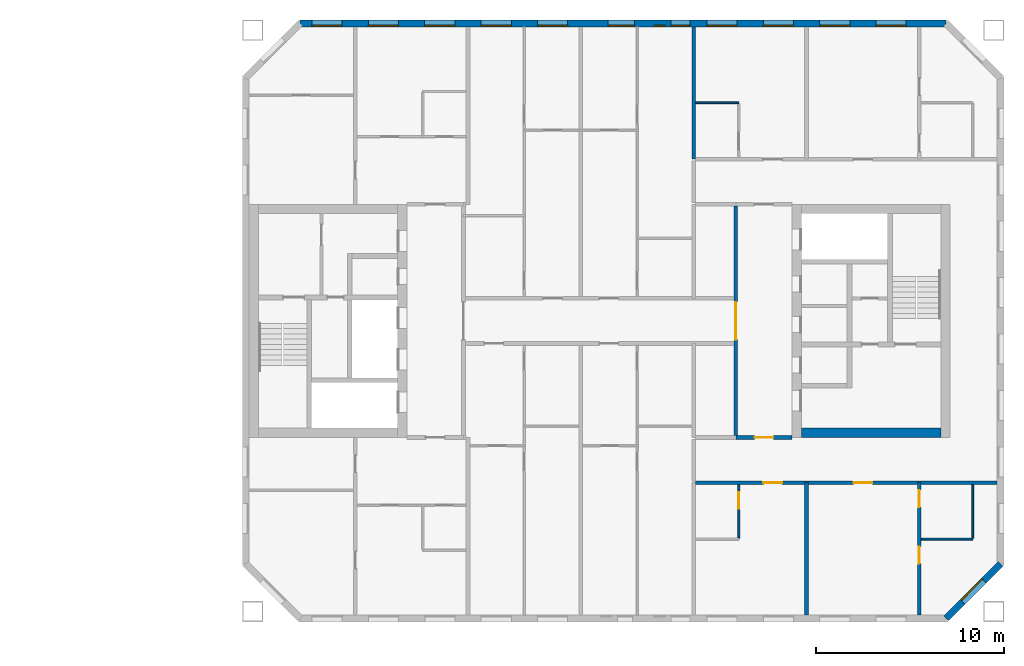
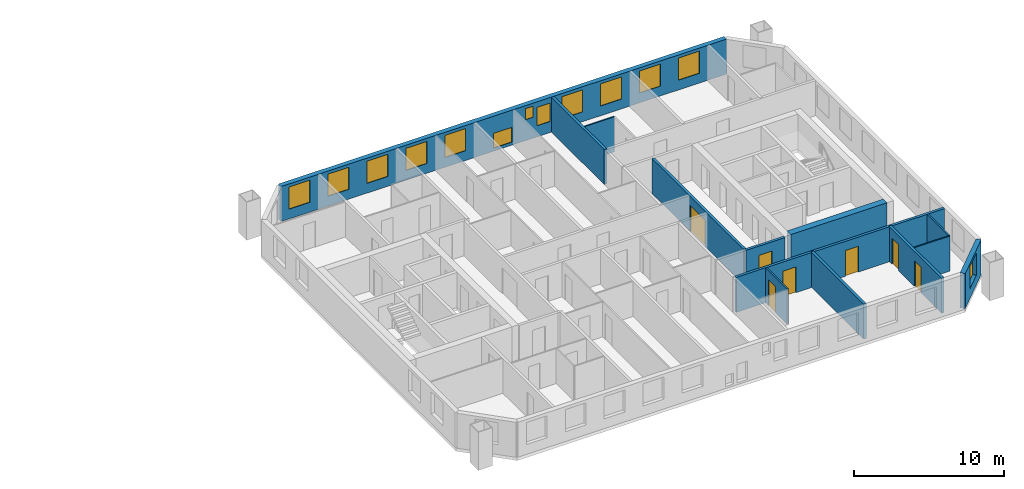
# One storey, part 11 of 15: 13 walls, 13 windows, 7 doors, 20 openings.
"""IFC4 building model written with IfcOpenShell, lengths in metres."""

from ifc_helpers import new_model, si_unit, direction, frame, frame_2d, origin, place, context, subcontext, project, spatial, rectangle, extrude, material, layer, layer_set, type_object, element, fill, save


model = new_model("IFC4")

# Units and contexts
model_context = context("Model", 3, precision=1e-05, world=origin(), true_north=direction((0.0, 1.0)))
body_context = subcontext(model_context, "Body", "Model", "MODEL_VIEW")
ifc_project = project(units=[si_unit("LENGTHUNIT", "METRE"), si_unit("AREAUNIT", "SQUARE_METRE"), si_unit("VOLUMEUNIT", "CUBIC_METRE"), si_unit("PLANEANGLEUNIT", "RADIAN"), si_unit("MASSUNIT", "GRAM", prefix="KILO")], contexts=[model_context])

# Site, building, storey
site_placement = place(None, origin())
site = spatial("IfcSite", under=ifc_project, at=site_placement, CompositionType="ELEMENT")
building_placement = place(site_placement, origin())
building = spatial("IfcBuilding", under=site, at=building_placement, Name="Tuart Gate Housing", CompositionType="ELEMENT")
storey_placement = place(building_placement, frame((0.0, 0.0, 164.0)))
storey = spatial("IfcBuildingStorey", under=building, at=storey_placement, Name="L46", CompositionType="ELEMENT", Elevation=164.0)

# Wall, opening, window
ifc_material_1 = material(Name="Brick", Category="masonry")
ifc_layer_1 = layer(ifc_material_1, 0.360107421875)
ifc_layer_set_1 = layer_set([ifc_layer_1], Name="Brick pier and spandrel wall 360")
wall_type_1 = type_object("IfcWallType", Name="Brick pier and spandrel wall 360", PredefinedType="STANDARD", material=ifc_layer_set_1)
wall_1_placement = place(storey_placement, frame((168.42529296875, 54.179931640625, 0.0), z_axis=(0.0, 0.0, 1.0), x_axis=(0.707106781187, 0.707106781187, 0.0)))
wall_1 = element("IfcWall", 1, at=wall_1_placement, inside=storey, type_object=wall_type_1, Name="External wall B-SE L46", PredefinedType="STANDARD", context=body_context, shape_type="SweptSolid", body=[
    extrude(rectangle(XDim=4.09375, YDim=0.360107421875, at=frame_2d((2.046875, 0.0))), origin(), (0.0, 0.0, 1.0), 2.85009765625),
])
opening_1_placement = place(wall_1_placement, frame((1.2470703125, 0.0, 0.800048828125)))
opening_1 = element("IfcOpeningElement", 2, at=opening_1_placement, cuts=wall_1, Name="Opening W1", PredefinedType="OPENING", context=body_context, shape_type="SweptSolid", body=[
    extrude(rectangle(XDim=1.60009765625, YDim=1.800048828125, at=frame_2d((0.800048828125, 0.89990234375))), frame((0.0, 0.18994140625, 0.0), z_axis=(0.0, -1.0, 0.0), x_axis=(1.0, 0.0, 0.0)), (0.0, 0.0, 1.0), 0.380126953125),
])
ifc_material_2 = material(Name="Aluminium frame with clear glass", Category="aluminium")
window_type_1 = type_object("IfcWindowType", Name="Punched window 1600 x 1800", PartitioningType="SINGLE_PANEL", PredefinedType="WINDOW", material=ifc_material_2)
window_1_placement = place(opening_1_placement, origin())
window_1 = element("IfcWindow", 3, at=window_1_placement, inside=storey, type_object=window_type_1, Name="Window W1", OverallHeight=1.800048828125, OverallWidth=1.60009765625, PartitioningType="SINGLE_PANEL", PredefinedType="WINDOW", context=body_context, shape_type="SweptSolid", body=[
    extrude(rectangle(XDim=1.60009765625, YDim=1.800048828125, at=frame_2d((0.800048828125, 0.89990234375))), frame((0.0, 0.150146484375, 0.0), z_axis=(0.0, -1.0, 0.0), x_axis=(1.0, 0.0, 0.0)), (0.0, 0.0, 1.0), 0.06005859375),
])
fill(opening_1, window_1)

# Wall, openings, windows
wall_2_placement = place(storey_placement, frame((168.42529296875, 85.820068359375, 0.0), z_axis=(0.0, 0.0, 1.0), x_axis=(-1.0, 0.0, 0.0)))
wall_2 = element("IfcWall", 4, at=wall_2_placement, inside=storey, type_object=wall_type_1, Name="External wall B-N L46", PredefinedType="STANDARD", context=body_context, shape_type="SweptSolid", body=[
    extrude(rectangle(XDim=34.350830078125, YDim=0.360107421875, at=frame_2d((17.17529296875, 0.0))), origin(), (0.0, 0.0, 1.0), 2.85009765625),
])
opening_2_placement = place(wall_2_placement, frame((2.12548828125, 0.0, 0.800048828125)))
opening_2 = element("IfcOpeningElement", 5, at=opening_2_placement, cuts=wall_2, Name="Opening W1", PredefinedType="OPENING", context=body_context, shape_type="SweptSolid", body=[
    extrude(rectangle(XDim=1.60009765625, YDim=1.800048828125, at=frame_2d((0.800048828125, 0.89990234375))), frame((0.0, 0.18994140625, 0.0), z_axis=(0.0, -1.0, 0.0), x_axis=(1.0, 0.0, 0.0)), (0.0, 0.0, 1.0), 0.380126953125),
])
opening_3_placement = place(wall_2_placement, frame((5.12548828125, 0.0, 0.800048828125)))
opening_3 = element("IfcOpeningElement", 6, at=opening_3_placement, cuts=wall_2, Name="Opening W1", PredefinedType="OPENING", context=body_context, shape_type="SweptSolid", body=[
    extrude(rectangle(XDim=1.60009765625, YDim=1.800048828125, at=frame_2d((0.800048828125, 0.89990234375))), frame((0.0, 0.18994140625, 0.0), z_axis=(0.0, -1.0, 0.0), x_axis=(1.0, 0.0, 0.0)), (0.0, 0.0, 1.0), 0.380126953125),
])
opening_4_placement = place(wall_2_placement, frame((8.12548828125, 0.0, 0.800048828125)))
opening_4 = element("IfcOpeningElement", 7, at=opening_4_placement, cuts=wall_2, Name="Opening W1", PredefinedType="OPENING", context=body_context, shape_type="SweptSolid", body=[
    extrude(rectangle(XDim=1.60009765625, YDim=1.800048828125, at=frame_2d((0.800048828125, 0.89990234375))), frame((0.0, 0.18994140625, 0.0), z_axis=(0.0, -1.0, 0.0), x_axis=(1.0, 0.0, 0.0)), (0.0, 0.0, 1.0), 0.380126953125),
])
opening_5_placement = place(wall_2_placement, frame((11.12548828125, 0.0, 0.800048828125)))
opening_5 = element("IfcOpeningElement", 8, at=opening_5_placement, cuts=wall_2, Name="Opening W1", PredefinedType="OPENING", context=body_context, shape_type="SweptSolid", body=[
    extrude(rectangle(XDim=1.60009765625, YDim=1.800048828125, at=frame_2d((0.800048828125, 0.89990234375))), frame((0.0, 0.18994140625, 0.0), z_axis=(0.0, -1.0, 0.0), x_axis=(1.0, 0.0, 0.0)), (0.0, 0.0, 1.0), 0.380126953125),
])
opening_6_placement = place(wall_2_placement, frame((13.62548828125, 0.0, 0.89990234375)))
opening_6 = element("IfcOpeningElement", 9, at=opening_6_placement, cuts=wall_2, Name="Opening W1I", PredefinedType="OPENING", context=body_context, shape_type="SweptSolid", body=[
    extrude(rectangle(XDim=1.0, YDim=1.5, at=frame_2d((0.5, 0.75))), frame((0.0, 0.18994140625, 0.0), z_axis=(0.0, -1.0, 0.0), x_axis=(1.0, 0.0, 0.0)), (0.0, 0.0, 1.0), 0.380126953125),
])
opening_7_placement = place(wall_2_placement, frame((16.575439453125, 0.0, 0.25)))
opening_7 = element("IfcOpeningElement", 10, at=opening_7_placement, cuts=wall_2, Name="Opening W1M", PredefinedType="OPENING", context=body_context, shape_type="SweptSolid", body=[
    extrude(rectangle(XDim=1.39990234375, YDim=1.199951171875, at=frame_2d((0.699951171875, 0.60009765625))), frame((0.0, 0.18994140625, 0.0), z_axis=(0.0, -1.0, 0.0), x_axis=(1.0, 0.0, 0.0)), (0.0, 0.0, 1.0), 0.380126953125),
])
opening_8_placement = place(wall_2_placement, frame((20.12548828125, 0.0, 0.800048828125)))
opening_8 = element("IfcOpeningElement", 11, at=opening_8_placement, cuts=wall_2, Name="Opening W1", PredefinedType="OPENING", context=body_context, shape_type="SweptSolid", body=[
    extrude(rectangle(XDim=1.60009765625, YDim=1.800048828125, at=frame_2d((0.800048828125, 0.89990234375))), frame((0.0, 0.18994140625, 0.0), z_axis=(0.0, -1.0, 0.0), x_axis=(1.0, 0.0, 0.0)), (0.0, 0.0, 1.0), 0.380126953125),
])
opening_9_placement = place(wall_2_placement, frame((23.12548828125, 0.0, 0.800048828125)))
opening_9 = element("IfcOpeningElement", 12, at=opening_9_placement, cuts=wall_2, Name="Opening W1", PredefinedType="OPENING", context=body_context, shape_type="SweptSolid", body=[
    extrude(rectangle(XDim=1.60009765625, YDim=1.800048828125, at=frame_2d((0.800048828125, 0.89990234375))), frame((0.0, 0.18994140625, 0.0), z_axis=(0.0, -1.0, 0.0), x_axis=(1.0, 0.0, 0.0)), (0.0, 0.0, 1.0), 0.380126953125),
])
opening_10_placement = place(wall_2_placement, frame((26.12548828125, 0.0, 0.800048828125)))
opening_10 = element("IfcOpeningElement", 13, at=opening_10_placement, cuts=wall_2, Name="Opening W1", PredefinedType="OPENING", context=body_context, shape_type="SweptSolid", body=[
    extrude(rectangle(XDim=1.60009765625, YDim=1.800048828125, at=frame_2d((0.800048828125, 0.89990234375))), frame((0.0, 0.18994140625, 0.0), z_axis=(0.0, -1.0, 0.0), x_axis=(1.0, 0.0, 0.0)), (0.0, 0.0, 1.0), 0.380126953125),
])
opening_11_placement = place(wall_2_placement, frame((29.12548828125, 0.0, 0.800048828125)))
opening_11 = element("IfcOpeningElement", 14, at=opening_11_placement, cuts=wall_2, Name="Opening W1", PredefinedType="OPENING", context=body_context, shape_type="SweptSolid", body=[
    extrude(rectangle(XDim=1.60009765625, YDim=1.800048828125, at=frame_2d((0.800048828125, 0.89990234375))), frame((0.0, 0.18994140625, 0.0), z_axis=(0.0, -1.0, 0.0), x_axis=(1.0, 0.0, 0.0)), (0.0, 0.0, 1.0), 0.380126953125),
])
opening_12_placement = place(wall_2_placement, frame((32.12548828125, 0.0, 0.800048828125)))
opening_12 = element("IfcOpeningElement", 15, at=opening_12_placement, cuts=wall_2, Name="Opening W1", PredefinedType="OPENING", context=body_context, shape_type="SweptSolid", body=[
    extrude(rectangle(XDim=1.60009765625, YDim=1.800048828125, at=frame_2d((0.800048828125, 0.89990234375))), frame((0.0, 0.18994140625, 0.0), z_axis=(0.0, -1.0, 0.0), x_axis=(1.0, 0.0, 0.0)), (0.0, 0.0, 1.0), 0.380126953125),
])
opening_13_placement = place(wall_2_placement, frame((14.92529296875, 0.0, 1.699951171875)))
opening_13 = element("IfcOpeningElement", 16, at=opening_13_placement, cuts=wall_2, Name="Opening W1W", PredefinedType="OPENING", context=body_context, shape_type="SweptSolid", body=[
    extrude(rectangle(XDim=0.60009765625, YDim=0.89990234375, at=frame_2d((0.300048828125, 0.449951171875))), frame((0.0, 0.18994140625, 0.0), z_axis=(0.0, -1.0, 0.0), x_axis=(1.0, 0.0, 0.0)), (0.0, 0.0, 1.0), 0.380126953125),
])
ifc_material_3 = material(Name="Aluminium frame with clear glass", Category="aluminium")
window_type_2 = type_object("IfcWindowType", Name="Punched window 1000 x 1500", PartitioningType="SINGLE_PANEL", PredefinedType="WINDOW", material=ifc_material_3)
window_2_placement = place(opening_6_placement, origin())
window_2 = element("IfcWindow", 17, at=window_2_placement, inside=storey, type_object=window_type_2, Name="Window W1I", OverallHeight=1.5, OverallWidth=1.0, PartitioningType="SINGLE_PANEL", PredefinedType="WINDOW", context=body_context, shape_type="SweptSolid", body=[
    extrude(rectangle(XDim=1.0, YDim=1.5, at=frame_2d((0.5, 0.75))), frame((0.0, 0.150146484375, 0.0), z_axis=(0.0, -1.0, 0.0), x_axis=(1.0, 0.0, 0.0)), (0.0, 0.0, 1.0), 0.06005859375),
])
fill(opening_6, window_2)
ifc_material_4 = material(Name="Aluminium frame with clear glass", Category="aluminium")
window_type_3 = type_object("IfcWindowType", Name="Punched window 1400 x 1200", PartitioningType="SINGLE_PANEL", PredefinedType="WINDOW", material=ifc_material_4)
window_3_placement = place(opening_7_placement, origin())
window_3 = element("IfcWindow", 18, at=window_3_placement, inside=storey, type_object=window_type_3, Name="Window W1M", OverallHeight=1.199951171875, OverallWidth=1.39990234375, PartitioningType="SINGLE_PANEL", PredefinedType="WINDOW", context=body_context, shape_type="SweptSolid", body=[
    extrude(rectangle(XDim=1.39990234375, YDim=1.199951171875, at=frame_2d((0.699951171875, 0.60009765625))), frame((0.0, 0.150146484375, 0.0), z_axis=(0.0, -1.0, 0.0), x_axis=(1.0, 0.0, 0.0)), (0.0, 0.0, 1.0), 0.06005859375),
])
fill(opening_7, window_3)
window_4_placement = place(opening_2_placement, origin())
window_4 = element("IfcWindow", 19, at=window_4_placement, inside=storey, type_object=window_type_1, Name="Window W1", OverallHeight=1.800048828125, OverallWidth=1.60009765625, PartitioningType="SINGLE_PANEL", PredefinedType="WINDOW", context=body_context, shape_type="SweptSolid", body=[
    extrude(rectangle(XDim=1.60009765625, YDim=1.800048828125, at=frame_2d((0.800048828125, 0.89990234375))), frame((0.0, 0.150146484375, 0.0), z_axis=(0.0, -1.0, 0.0), x_axis=(1.0, 0.0, 0.0)), (0.0, 0.0, 1.0), 0.06005859375),
])
fill(opening_2, window_4)
window_5_placement = place(opening_3_placement, origin())
window_5 = element("IfcWindow", 20, at=window_5_placement, inside=storey, type_object=window_type_1, Name="Window W1", OverallHeight=1.800048828125, OverallWidth=1.60009765625, PartitioningType="SINGLE_PANEL", PredefinedType="WINDOW", context=body_context, shape_type="SweptSolid", body=[
    extrude(rectangle(XDim=1.60009765625, YDim=1.800048828125, at=frame_2d((0.800048828125, 0.89990234375))), frame((0.0, 0.150146484375, 0.0), z_axis=(0.0, -1.0, 0.0), x_axis=(1.0, 0.0, 0.0)), (0.0, 0.0, 1.0), 0.06005859375),
])
fill(opening_3, window_5)
window_6_placement = place(opening_4_placement, origin())
window_6 = element("IfcWindow", 21, at=window_6_placement, inside=storey, type_object=window_type_1, Name="Window W1", OverallHeight=1.800048828125, OverallWidth=1.60009765625, PartitioningType="SINGLE_PANEL", PredefinedType="WINDOW", context=body_context, shape_type="SweptSolid", body=[
    extrude(rectangle(XDim=1.60009765625, YDim=1.800048828125, at=frame_2d((0.800048828125, 0.89990234375))), frame((0.0, 0.150146484375, 0.0), z_axis=(0.0, -1.0, 0.0), x_axis=(1.0, 0.0, 0.0)), (0.0, 0.0, 1.0), 0.06005859375),
])
fill(opening_4, window_6)
window_7_placement = place(opening_5_placement, origin())
window_7 = element("IfcWindow", 22, at=window_7_placement, inside=storey, type_object=window_type_1, Name="Window W1", OverallHeight=1.800048828125, OverallWidth=1.60009765625, PartitioningType="SINGLE_PANEL", PredefinedType="WINDOW", context=body_context, shape_type="SweptSolid", body=[
    extrude(rectangle(XDim=1.60009765625, YDim=1.800048828125, at=frame_2d((0.800048828125, 0.89990234375))), frame((0.0, 0.150146484375, 0.0), z_axis=(0.0, -1.0, 0.0), x_axis=(1.0, 0.0, 0.0)), (0.0, 0.0, 1.0), 0.06005859375),
])
fill(opening_5, window_7)
window_8_placement = place(opening_8_placement, origin())
window_8 = element("IfcWindow", 23, at=window_8_placement, inside=storey, type_object=window_type_1, Name="Window W1", OverallHeight=1.800048828125, OverallWidth=1.60009765625, PartitioningType="SINGLE_PANEL", PredefinedType="WINDOW", context=body_context, shape_type="SweptSolid", body=[
    extrude(rectangle(XDim=1.60009765625, YDim=1.800048828125, at=frame_2d((0.800048828125, 0.89990234375))), frame((0.0, 0.150146484375, 0.0), z_axis=(0.0, -1.0, 0.0), x_axis=(1.0, 0.0, 0.0)), (0.0, 0.0, 1.0), 0.06005859375),
])
fill(opening_8, window_8)
window_9_placement = place(opening_9_placement, origin())
window_9 = element("IfcWindow", 24, at=window_9_placement, inside=storey, type_object=window_type_1, Name="Window W1", OverallHeight=1.800048828125, OverallWidth=1.60009765625, PartitioningType="SINGLE_PANEL", PredefinedType="WINDOW", context=body_context, shape_type="SweptSolid", body=[
    extrude(rectangle(XDim=1.60009765625, YDim=1.800048828125, at=frame_2d((0.800048828125, 0.89990234375))), frame((0.0, 0.150146484375, 0.0), z_axis=(0.0, -1.0, 0.0), x_axis=(1.0, 0.0, 0.0)), (0.0, 0.0, 1.0), 0.06005859375),
])
fill(opening_9, window_9)
window_10_placement = place(opening_10_placement, origin())
window_10 = element("IfcWindow", 25, at=window_10_placement, inside=storey, type_object=window_type_1, Name="Window W1", OverallHeight=1.800048828125, OverallWidth=1.60009765625, PartitioningType="SINGLE_PANEL", PredefinedType="WINDOW", context=body_context, shape_type="SweptSolid", body=[
    extrude(rectangle(XDim=1.60009765625, YDim=1.800048828125, at=frame_2d((0.800048828125, 0.89990234375))), frame((0.0, 0.150146484375, 0.0), z_axis=(0.0, -1.0, 0.0), x_axis=(1.0, 0.0, 0.0)), (0.0, 0.0, 1.0), 0.06005859375),
])
fill(opening_10, window_10)
window_11_placement = place(opening_11_placement, origin())
window_11 = element("IfcWindow", 26, at=window_11_placement, inside=storey, type_object=window_type_1, Name="Window W1", OverallHeight=1.800048828125, OverallWidth=1.60009765625, PartitioningType="SINGLE_PANEL", PredefinedType="WINDOW", context=body_context, shape_type="SweptSolid", body=[
    extrude(rectangle(XDim=1.60009765625, YDim=1.800048828125, at=frame_2d((0.800048828125, 0.89990234375))), frame((0.0, 0.150146484375, 0.0), z_axis=(0.0, -1.0, 0.0), x_axis=(1.0, 0.0, 0.0)), (0.0, 0.0, 1.0), 0.06005859375),
])
fill(opening_11, window_11)
window_12_placement = place(opening_12_placement, origin())
window_12 = element("IfcWindow", 27, at=window_12_placement, inside=storey, type_object=window_type_1, Name="Window W1", OverallHeight=1.800048828125, OverallWidth=1.60009765625, PartitioningType="SINGLE_PANEL", PredefinedType="WINDOW", context=body_context, shape_type="SweptSolid", body=[
    extrude(rectangle(XDim=1.60009765625, YDim=1.800048828125, at=frame_2d((0.800048828125, 0.89990234375))), frame((0.0, 0.150146484375, 0.0), z_axis=(0.0, -1.0, 0.0), x_axis=(1.0, 0.0, 0.0)), (0.0, 0.0, 1.0), 0.06005859375),
])
fill(opening_12, window_12)
ifc_material_5 = material(Name="Aluminium frame with clear glass", Category="aluminium")
window_type_4 = type_object("IfcWindowType", Name="Punched window 600 x 900", PartitioningType="SINGLE_PANEL", PredefinedType="WINDOW", material=ifc_material_5)
window_13_placement = place(opening_13_placement, origin())
window_13 = element("IfcWindow", 28, at=window_13_placement, inside=storey, type_object=window_type_4, Name="Window W1W", OverallHeight=0.89990234375, OverallWidth=0.60009765625, PartitioningType="SINGLE_PANEL", PredefinedType="WINDOW", context=body_context, shape_type="SweptSolid", body=[
    extrude(rectangle(XDim=0.60009765625, YDim=0.89990234375, at=frame_2d((0.300048828125, 0.449951171875))), frame((0.0, 0.150146484375, 0.0), z_axis=(0.0, -1.0, 0.0), x_axis=(1.0, 0.0, 0.0)), (0.0, 0.0, 1.0), 0.06005859375),
])
fill(opening_13, window_13)

# Wall
ifc_material_6 = material(Name="Concrete C40", Category="concrete")
ifc_layer_2 = layer(ifc_material_6, 0.5)
ifc_layer_set_2 = layer_set([ifc_layer_2], Name="Core wall 500 C40")
wall_type_2 = type_object("IfcWallType", Name="Core wall 500 C40", PredefinedType="SHEAR", material=ifc_layer_set_2)
wall_3_placement = place(storey_placement, frame((160.739990234375, 64.050048828125, 0.0), z_axis=(0.0, 0.0, 1.0), x_axis=(1.0, 0.0, 0.0)))
element("IfcWall", 29, at=wall_3_placement, inside=storey, type_object=wall_type_2, Name="Core wall BK north", PredefinedType="SHEAR", context=body_context, shape_type="SweptSolid", body=[
    extrude(rectangle(XDim=7.39990234375, YDim=0.5, at=frame_2d((3.699951171875, 0.0))), origin(), (0.0, 0.0, 1.0), 2.85009765625),
])

# Wall, openings, doors
ifc_material_7 = material(Name="Concrete masonry 15 MPa", Category="masonry")
ifc_layer_3 = layer(ifc_material_7, 0.199951171875)
ifc_layer_set_3 = layer_set([ifc_layer_3], Name="Corridor wall masonry 200")
wall_type_3 = type_object("IfcWallType", Name="Corridor wall masonry 200", PredefinedType="PARTITIONING", material=ifc_layer_set_3)
wall_4_placement = place(storey_placement, frame((155.10009765625, 61.39990234375, 0.0), z_axis=(0.0, 0.0, 1.0), x_axis=(1.0, 0.0, 0.0)))
wall_4 = element("IfcWall", 30, at=wall_4_placement, inside=storey, type_object=wall_type_3, Name="Corridor wall masonry 200", PredefinedType="PARTITIONING", context=body_context, shape_type="SweptSolid", body=[
    extrude(rectangle(XDim=16.039794921875, YDim=0.199951171875, at=frame_2d((8.02001953125, 0.0))), origin(), (0.0, 0.0, 1.0), 2.85009765625),
])
opening_14_placement = place(wall_4_placement, frame((3.60009765625, 0.0, 0.0)))
opening_14 = element("IfcOpeningElement", 31, at=opening_14_placement, cuts=wall_4, Name="Opening D1724", PredefinedType="OPENING", context=body_context, shape_type="SweptSolid", body=[
    extrude(rectangle(XDim=1.0, YDim=2.10009765625, at=frame_2d((0.5, 1.050048828125))), frame((0.0, 0.10986328125, 0.0), z_axis=(0.0, -1.0, 0.0), x_axis=(1.0, 0.0, 0.0)), (0.0, 0.0, 1.0), 0.219970703125),
])
opening_15_placement = place(wall_4_placement, frame((8.39990234375, 0.0, 0.0)))
opening_15 = element("IfcOpeningElement", 32, at=opening_15_placement, cuts=wall_4, Name="Opening D1725", PredefinedType="OPENING", context=body_context, shape_type="SweptSolid", body=[
    extrude(rectangle(XDim=1.0, YDim=2.10009765625, at=frame_2d((0.5, 1.050048828125))), frame((0.0, 0.10986328125, 0.0), z_axis=(0.0, -1.0, 0.0), x_axis=(1.0, 0.0, 0.0)), (0.0, 0.0, 1.0), 0.219970703125),
])
ifc_material_8 = material(Name="Timber door leaf in steel frame", Category="steel")
door_type_1 = type_object("IfcDoorType", Name="Flat entrance door 1000 RH", OperationType="SINGLE_SWING_RIGHT", PredefinedType="DOOR", material=ifc_material_8)
door_1_placement = place(opening_14_placement, frame((1.0, 0.0, 0.0), z_axis=(0.0, 0.0, 1.0), x_axis=(-1.0, 0.0, 0.0)))
door_1 = element("IfcDoor", 33, at=door_1_placement, inside=storey, type_object=door_type_1, Name="Flat entrance door", OperationType="SINGLE_SWING_RIGHT", OverallHeight=2.10009765625, OverallWidth=1.0, PredefinedType="DOOR", context=body_context, shape_type="SweptSolid", body=[
    extrude(rectangle(XDim=1.0, YDim=2.10009765625, at=frame_2d((0.5, 1.050048828125))), frame((0.0, 0.025146484375, 0.0), z_axis=(0.0, -1.0, 0.0), x_axis=(1.0, 0.0, 0.0)), (0.0, 0.0, 1.0), 0.050048828125),
])
fill(opening_14, door_1)
door_2_placement = place(opening_15_placement, frame((1.0, 0.0, 0.0), z_axis=(0.0, 0.0, 1.0), x_axis=(-1.0, 0.0, 0.0)))
door_2 = element("IfcDoor", 34, at=door_2_placement, inside=storey, type_object=door_type_1, Name="Flat entrance door", OperationType="SINGLE_SWING_RIGHT", OverallHeight=2.10009765625, OverallWidth=1.0, PredefinedType="DOOR", context=body_context, shape_type="SweptSolid", body=[
    extrude(rectangle(XDim=1.0, YDim=2.10009765625, at=frame_2d((0.5, 1.050048828125))), frame((0.0, 0.025146484375, 0.0), z_axis=(0.0, -1.0, 0.0), x_axis=(1.0, 0.0, 0.0)), (0.0, 0.0, 1.0), 0.050048828125),
])
fill(opening_15, door_2)

# Wall, opening, door
ifc_material_9 = material(Name="Concrete masonry 15 MPa", Category="masonry")
ifc_layer_4 = layer(ifc_material_9, 0.199951171875)
ifc_layer_set_4 = layer_set([ifc_layer_4], Name="Enclosure wall masonry 200")
wall_type_4 = type_object("IfcWallType", Name="Enclosure wall masonry 200", PredefinedType="PARTITIONING", material=ifc_layer_set_4)
wall_5_placement = place(storey_placement, frame((157.239990234375, 63.800048828125, 0.0), z_axis=(0.0, 0.0, 1.0), x_axis=(1.0, 0.0, 0.0)))
wall_5 = element("IfcWall", 35, at=wall_5_placement, inside=storey, type_object=wall_type_4, Name="Enclosure wall masonry 200", PredefinedType="PARTITIONING", context=body_context, shape_type="SweptSolid", body=[
    extrude(rectangle(XDim=3.0, YDim=0.199951171875, at=frame_2d((1.5, 0.0))), origin(), (0.0, 0.0, 1.0), 2.85009765625),
])
opening_16_placement = place(wall_5_placement, frame((1.0, 0.0, 0.0)))
opening_16 = element("IfcOpeningElement", 36, at=opening_16_placement, cuts=wall_5, Name="Opening D1717", PredefinedType="OPENING", context=body_context, shape_type="SweptSolid", body=[
    extrude(rectangle(XDim=1.0, YDim=2.10009765625, at=frame_2d((0.5, 1.050048828125))), frame((0.0, 0.10986328125, 0.0), z_axis=(0.0, -1.0, 0.0), x_axis=(1.0, 0.0, 0.0)), (0.0, 0.0, 1.0), 0.219970703125),
])
ifc_material_10 = material(Name="Timber door leaf in steel frame", Category="steel")
door_type_2 = type_object("IfcDoorType", Name="Fire door 1000 RH", OperationType="SINGLE_SWING_RIGHT", PredefinedType="DOOR", material=ifc_material_10)
door_3_placement = place(opening_16_placement, frame((1.0, 0.0, 0.0), z_axis=(0.0, 0.0, 1.0), x_axis=(-1.0, 0.0, 0.0)))
door_3 = element("IfcDoor", 37, at=door_3_placement, inside=storey, type_object=door_type_2, Name="Fire door", OperationType="SINGLE_SWING_RIGHT", OverallHeight=2.10009765625, OverallWidth=1.0, PredefinedType="DOOR", context=body_context, shape_type="SweptSolid", body=[
    extrude(rectangle(XDim=1.0, YDim=2.10009765625, at=frame_2d((0.5, 1.050048828125))), frame((0.0, 0.025146484375, 0.0), z_axis=(0.0, -1.0, 0.0), x_axis=(1.0, 0.0, 0.0)), (0.0, 0.0, 1.0), 0.050048828125),
])
fill(opening_16, door_3)

ifc_material_11 = material(Name="Plasterboard partition")
ifc_layer_5 = layer(ifc_material_11, 0.199951171875)
ifc_layer_set_5 = layer_set([ifc_layer_5], Name="Lobby wall 200")
wall_type_5 = type_object("IfcWallType", Name="Lobby wall 200", PredefinedType="PARTITIONING", material=ifc_layer_set_5)
wall_6_placement = place(storey_placement, frame((157.239990234375, 63.89990234375, 0.0), z_axis=(0.0, 0.0, 1.0), x_axis=(0.0, 1.0, 0.0)))
wall_6 = element("IfcWall", 38, at=wall_6_placement, inside=storey, type_object=wall_type_5, Name="Lift lobby wall BK", PredefinedType="PARTITIONING", context=body_context, shape_type="SweptSolid", body=[
    extrude(rectangle(XDim=12.2001953125, YDim=0.199951171875, at=frame_2d((6.10009765625, 0.0))), origin(), (0.0, 0.0, 1.0), 2.85009765625),
])
opening_17_placement = place(wall_6_placement, frame((5.10009765625, 0.0, 0.0)))
opening_17 = element("IfcOpeningElement", 39, at=opening_17_placement, cuts=wall_6, Name="Opening D1707", PredefinedType="OPENING", context=body_context, shape_type="SweptSolid", body=[
    extrude(rectangle(XDim=2.0, YDim=2.10009765625, at=frame_2d((1.0, 1.050048828125))), frame((0.0, 0.10986328125, 0.0), z_axis=(0.0, -1.0, 0.0), x_axis=(1.0, 0.0, 0.0)), (0.0, 0.0, 1.0), 0.219970703125),
])
ifc_material_12 = material(Name="Steel fire door", Category="steel")
door_type_3 = type_object("IfcDoorType", Name="Smoke door 2000 x 2100", OperationType="DOUBLE_DOOR_SINGLE_SWING", PredefinedType="DOOR", material=ifc_material_12)
door_4_placement = place(opening_17_placement, frame((2.0, 0.0, 0.0), z_axis=(0.0, 0.0, 1.0), x_axis=(-1.0, 0.0, 0.0)))
door_4 = element("IfcDoor", 40, at=door_4_placement, inside=storey, type_object=door_type_3, Name="Lift lobby smoke door BK", OperationType="DOUBLE_DOOR_SINGLE_SWING", OverallHeight=2.10009765625, OverallWidth=2.0, PredefinedType="DOOR", context=body_context, shape_type="SweptSolid", body=[
    extrude(rectangle(XDim=2.0, YDim=2.10009765625, at=frame_2d((1.0, 1.050048828125))), frame((0.0, 0.025146484375, 0.0), z_axis=(0.0, -1.0, 0.0), x_axis=(1.0, 0.0, 0.0)), (0.0, 0.0, 1.0), 0.050048828125),
])
fill(opening_17, door_4)

# Walls
ifc_material_13 = material(Name="Gypsum board on steel studs", Category="steel")
ifc_layer_6 = layer(ifc_material_13, 0.10009765625)
ifc_layer_set_6 = layer_set([ifc_layer_6], Name="Partition 100")
wall_type_6 = type_object("IfcWallType", Name="Partition 100", PredefinedType="PARTITIONING", material=ifc_layer_set_6)
wall_7_placement = place(storey_placement, frame((167.10009765625, 58.39990234375, 0.0), z_axis=(0.0, 0.0, 1.0), x_axis=(1.0, 0.0, 0.0)))
element("IfcWall", 41, at=wall_7_placement, inside=storey, type_object=wall_type_6, Name="Partition 100", PredefinedType="PARTITIONING", context=body_context, shape_type="SweptSolid", body=[
    extrude(rectangle(XDim=2.739990234375, YDim=0.10009765625, at=frame_2d((1.3701171875, 0.0))), origin(), (0.0, 0.0, 1.0), 2.85009765625),
])
wall_8_placement = place(storey_placement, frame((155.10009765625, 81.60009765625, 0.0), z_axis=(0.0, 0.0, 1.0), x_axis=(1.0, 0.0, 0.0)))
element("IfcWall", 42, at=wall_8_placement, inside=storey, type_object=wall_type_6, Name="Partition 100", PredefinedType="PARTITIONING", context=body_context, shape_type="SweptSolid", body=[
    extrude(rectangle(XDim=2.2998046875, YDim=0.10009765625, at=frame_2d((1.14990234375, 0.0))), origin(), (0.0, 0.0, 1.0), 2.85009765625),
])

# Wall, opening, door
wall_9_placement = place(storey_placement, frame((157.39990234375, 58.449951171875, 0.0), z_axis=(0.0, 0.0, 1.0), x_axis=(0.0, 1.0, 0.0)))
wall_9 = element("IfcWall", 43, at=wall_9_placement, inside=storey, type_object=wall_type_6, Name="Partition 100", PredefinedType="PARTITIONING", context=body_context, shape_type="SweptSolid", body=[
    extrude(rectangle(XDim=2.85009765625, YDim=0.10009765625, at=frame_2d((1.425048828125, 0.0))), origin(), (0.0, 0.0, 1.0), 2.85009765625),
])
opening_18_placement = place(wall_9_placement, frame((1.550048828125, 0.0, 0.0)))
opening_18 = element("IfcOpeningElement", 44, at=opening_18_placement, cuts=wall_9, Name="Opening D1728", PredefinedType="OPENING", context=body_context, shape_type="SweptSolid", body=[
    extrude(rectangle(XDim=0.89990234375, YDim=2.10009765625, at=frame_2d((0.449951171875, 1.050048828125))), frame((0.0, 0.06005859375, 0.0), z_axis=(0.0, -1.0, 0.0), x_axis=(1.0, 0.0, 0.0)), (0.0, 0.0, 1.0), 0.1201171875),
])
ifc_material_14 = material(Name="Timber door leaf in steel frame", Category="steel")
door_type_4 = type_object("IfcDoorType", Name="Bathroom door 900 RH", OperationType="SINGLE_SWING_RIGHT", PredefinedType="DOOR", material=ifc_material_14)
door_5_placement = place(opening_18_placement, origin())
door_5 = element("IfcDoor", 45, at=door_5_placement, inside=storey, type_object=door_type_4, Name="Bathroom door", OperationType="SINGLE_SWING_RIGHT", OverallHeight=2.10009765625, OverallWidth=0.89990234375, PredefinedType="DOOR", context=body_context, shape_type="SweptSolid", body=[
    extrude(rectangle(XDim=0.89990234375, YDim=2.10009765625, at=frame_2d((0.449951171875, 1.050048828125))), frame((0.0, 0.02490234375, 0.0), z_axis=(0.0, -1.0, 0.0), x_axis=(1.0, 0.0, 0.0)), (0.0, 0.0, 1.0), 0.050048828125),
])
fill(opening_18, door_5)

# Walls
wall_10_placement = place(storey_placement, frame((169.840087890625, 58.449951171875, 0.0), z_axis=(0.0, 0.0, 1.0), x_axis=(0.0, 1.0, 0.0)))
element("IfcWall", 46, at=wall_10_placement, inside=storey, type_object=wall_type_6, Name="Partition 100", PredefinedType="PARTITIONING", context=body_context, shape_type="SweptSolid", body=[
    extrude(rectangle(XDim=2.85009765625, YDim=0.10009765625, at=frame_2d((1.425048828125, 0.0))), origin(), (0.0, 0.0, 1.0), 2.85009765625),
])
ifc_material_15 = material(Name="Concrete C40", Category="concrete")
ifc_layer_7 = layer(ifc_material_15, 0.199951171875)
ifc_layer_set_7 = layer_set([ifc_layer_7], Name="Party wall concrete C40 200")
wall_type_7 = type_object("IfcWallType", Name="Party wall concrete C40 200", PredefinedType="SOLIDWALL", material=ifc_layer_set_7)
for number, where, z_axis, x_axis, name in (
    (47, (155.0, 78.60009765625, 0.0), (0.0, 0.0, 1.0), (0.0, 1.0, 0.0), "Party wall concrete C40 200"),
    (48, (161.0, 54.360107421875, 0.0), (0.0, 0.0, 1.0), (0.0, 1.0, 0.0), "Party wall concrete C40 200"),
):
    element("IfcWall", number, at=place(storey_placement, frame(where, z_axis=z_axis, x_axis=x_axis)), inside=storey, type_object=wall_type_7, Name=name, PredefinedType="SOLIDWALL", context=body_context, shape_type="SweptSolid", body=[
        extrude(rectangle(XDim=7.039794921875, YDim=0.199951171875, at=frame_2d((3.52001953125, 0.0))), origin(), (0.0, 0.0, 1.0), 2.85009765625),
    ])

# Wall, openings, doors
wall_11_placement = place(storey_placement, frame((167.0, 54.360107421875, 0.0), z_axis=(0.0, 0.0, 1.0), x_axis=(0.0, 1.0, 0.0)))
wall_11 = element("IfcWall", 49, at=wall_11_placement, inside=storey, type_object=wall_type_7, Name="Party wall concrete C40 200", PredefinedType="SOLIDWALL", context=body_context, shape_type="SweptSolid", body=[
    extrude(rectangle(XDim=7.039794921875, YDim=0.199951171875, at=frame_2d((3.52001953125, 0.0))), origin(), (0.0, 0.0, 1.0), 2.85009765625),
])
opening_19_placement = place(wall_11_placement, frame((2.739990234375, 0.0, 0.0)))
opening_19 = element("IfcOpeningElement", 50, at=opening_19_placement, cuts=wall_11, Name="Opening D1732", PredefinedType="OPENING", context=body_context, shape_type="SweptSolid", body=[
    extrude(rectangle(XDim=0.89990234375, YDim=2.10009765625, at=frame_2d((0.449951171875, 1.050048828125))), frame((0.0, 0.10986328125, 0.0), z_axis=(0.0, -1.0, 0.0), x_axis=(1.0, 0.0, 0.0)), (0.0, 0.0, 1.0), 0.219970703125),
])
opening_20_placement = place(wall_11_placement, frame((5.739990234375, 0.0, 0.0)))
opening_20 = element("IfcOpeningElement", 51, at=opening_20_placement, cuts=wall_11, Name="Opening D1731", PredefinedType="OPENING", context=body_context, shape_type="SweptSolid", body=[
    extrude(rectangle(XDim=0.89990234375, YDim=2.10009765625, at=frame_2d((0.449951171875, 1.050048828125))), frame((0.0, 0.10986328125, 0.0), z_axis=(0.0, -1.0, 0.0), x_axis=(1.0, 0.0, 0.0)), (0.0, 0.0, 1.0), 0.219970703125),
])
ifc_material_16 = material(Name="Timber door leaf in steel frame", Category="steel")
door_type_5 = type_object("IfcDoorType", Name="Bathroom door 900", OperationType="SINGLE_SWING_LEFT", PredefinedType="DOOR", material=ifc_material_16)
door_6_placement = place(opening_20_placement, frame((0.89990234375, 0.0, 0.0), z_axis=(0.0, 0.0, 1.0), x_axis=(-1.0, 0.0, 0.0)))
door_6 = element("IfcDoor", 52, at=door_6_placement, inside=storey, type_object=door_type_5, Name="Bathroom door", OperationType="SINGLE_SWING_LEFT", OverallHeight=2.10009765625, OverallWidth=0.89990234375, PredefinedType="DOOR", context=body_context, shape_type="SweptSolid", body=[
    extrude(rectangle(XDim=0.89990234375, YDim=2.10009765625, at=frame_2d((0.449951171875, 1.050048828125))), frame((0.0, 0.025146484375, 0.0), z_axis=(0.0, -1.0, 0.0), x_axis=(1.0, 0.0, 0.0)), (0.0, 0.0, 1.0), 0.050048828125),
])
fill(opening_20, door_6)
ifc_material_17 = material(Name="Timber door leaf in steel frame", Category="steel")
door_type_6 = type_object("IfcDoorType", Name="Internal door 900", OperationType="SINGLE_SWING_LEFT", PredefinedType="DOOR", material=ifc_material_17)
door_7_placement = place(opening_19_placement, frame((0.89990234375, 0.0, 0.0), z_axis=(0.0, 0.0, 1.0), x_axis=(-1.0, 0.0, 0.0)))
door_7 = element("IfcDoor", 53, at=door_7_placement, inside=storey, type_object=door_type_6, Name="Internal door", OperationType="SINGLE_SWING_LEFT", OverallHeight=2.10009765625, OverallWidth=0.89990234375, PredefinedType="DOOR", context=body_context, shape_type="SweptSolid", body=[
    extrude(rectangle(XDim=0.89990234375, YDim=2.10009765625, at=frame_2d((0.449951171875, 1.050048828125))), frame((0.0, 0.025146484375, 0.0), z_axis=(0.0, -1.0, 0.0), x_axis=(1.0, 0.0, 0.0)), (0.0, 0.0, 1.0), 0.050048828125),
])
fill(opening_19, door_7)

save(model, "model.ifc")
